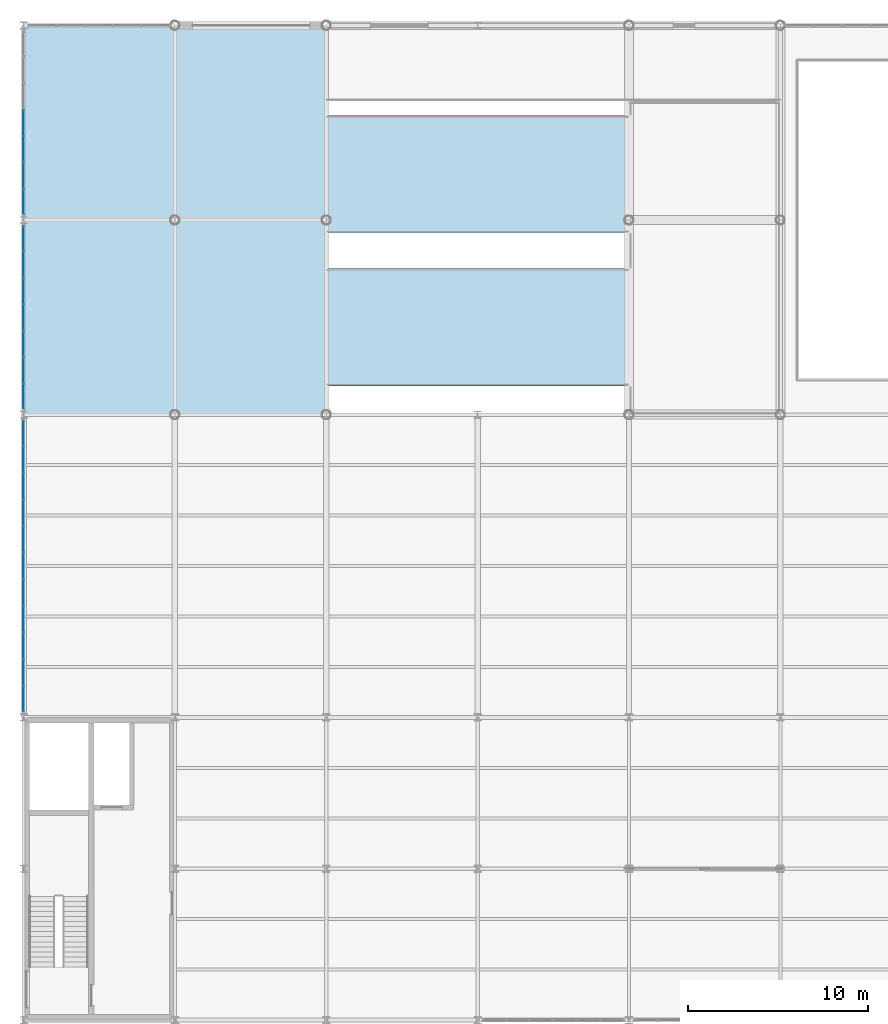
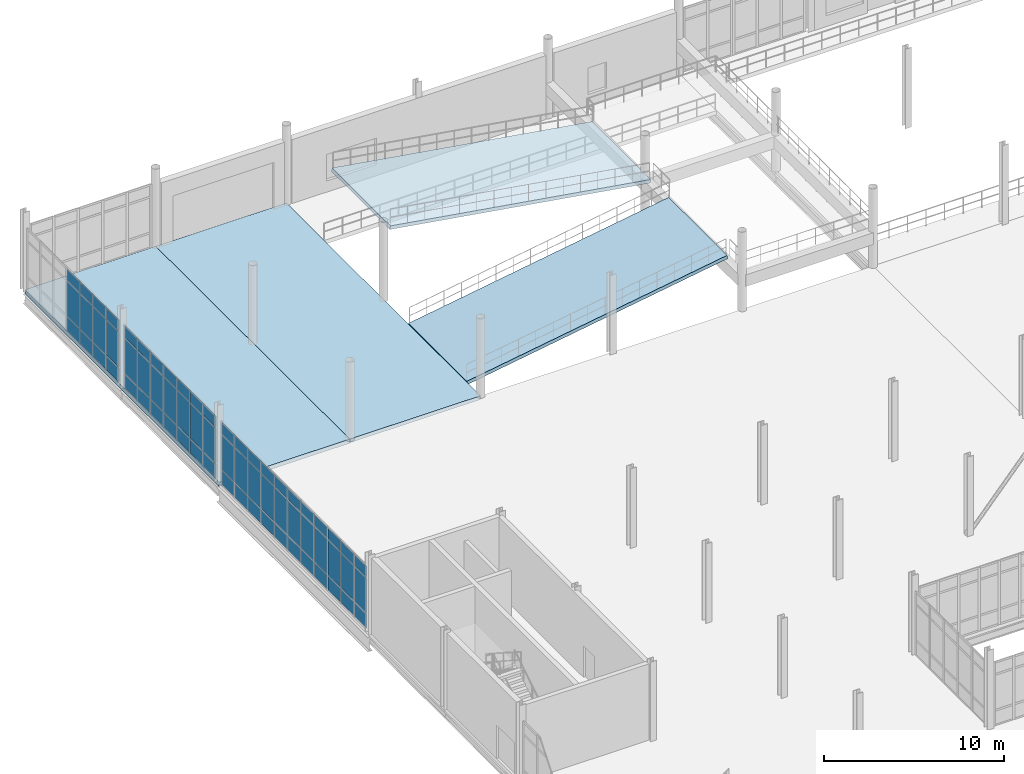
# One storey, part 84 of 111: 66 plates, 4 slabs, 3 elements without a shape of their own.
"""IFC4 building model written with IfcOpenShell, lengths in metres."""

import ifcopenshell
import ifcopenshell.guid

model = None  # the IFC model being written
_history = None  # IfcOwnerHistory: only IFC2X3 demands one
_inside = {}  # id of a spatial element -> (the spatial element, [elements in it])
_under = {}  # id of a project, library or spatial element -> (it, [spatial elements below it])
_declared = {}  # id of a project -> (the project, [libraries it declares])
_typed = {}  # id of a type object -> (the type object, [elements of that type])
_made_of = {}  # id of a material, layer set ... -> (it, [elements and type objects made of it])


def new_model(schema):
    """Start an empty IFC model of exactly this schema.

    Asked for "IFC4X3", IfcOpenShell would pick the latest addendum, in which some entities
    have other attributes; the version numbers below select the first issue.
    IFC2X3 requires an IfcOwnerHistory on every rooted entity: one is made here for all.
    """
    global model, _history
    if schema == "IFC4X3":
        model = ifcopenshell.file(schema_version=(4, 3, 0, 0))
    else:
        model = ifcopenshell.file(schema=schema)
    _inside.clear()
    _under.clear()
    _declared.clear()
    _typed.clear()
    _made_of.clear()
    _history = None
    if model.schema == "IFC2X3":
        org = make("IfcOrganization", Name="unknown")
        user = make(
            "IfcPersonAndOrganization",
            ThePerson=make("IfcPerson", FamilyName="unknown"),
            TheOrganization=org,
        )
        app = make(
            "IfcApplication",
            ApplicationDeveloper=org,
            Version="unknown",
            ApplicationFullName="unknown",
            ApplicationIdentifier="unknown",
        )
        _history = make(
            "IfcOwnerHistory",
            OwningUser=user,
            OwningApplication=app,
            ChangeAction="ADDED",
            CreationDate=0,
        )
    return model


def make(cls, **values):
    """One entity of the class cls with the attributes given. An attribute that is None is left unset."""
    return model.create_entity(
        cls, **{name: value for name, value in values.items() if value is not None}
    )


def rooted(cls, **values):
    """An entity with a GlobalId (a new one), such as an element, a storey or a relation."""
    return make(cls, GlobalId=ifcopenshell.guid.new(), OwnerHistory=_history, **values)


def si_unit(unit_type, name, prefix=None):
    """IfcSIUnit, for example si_unit("LENGTHUNIT", "METRE", prefix="MILLI")."""
    return make("IfcSIUnit", UnitType=unit_type, Prefix=prefix, Name=name)


def assignment(units):
    """IfcUnitAssignment: the units of a project."""
    return None if units is None else make("IfcUnitAssignment", Units=units)


def point(xyz):
    """IfcCartesianPoint."""
    return None if xyz is None else make("IfcCartesianPoint", Coordinates=xyz)


def direction(xyz):
    """IfcDirection."""
    return None if xyz is None else make("IfcDirection", DirectionRatios=xyz)


def frame(location, z_axis=None, x_axis=None):
    """IfcAxis2Placement3D, a coordinate frame: its origin and axes. An axis left out is left unset."""
    return make(
        "IfcAxis2Placement3D",
        Location=point(location),
        Axis=direction(z_axis),
        RefDirection=direction(x_axis),
    )


def frame_2d(location, x_axis=None):
    """IfcAxis2Placement2D, a coordinate frame in the plane: its origin and x axis."""
    return make(
        "IfcAxis2Placement2D", Location=point(location), RefDirection=direction(x_axis)
    )


def origin():
    """The frame at (0, 0, 0) with its axes left unset."""
    return frame((0.0, 0.0, 0.0))


def origin_2d():
    """The frame at (0, 0) in the plane with its x axis left unset."""
    return frame_2d((0.0, 0.0))


def place(relative_to, where):
    """IfcLocalPlacement: puts the frame where relative to a parent placement (None: the world)."""
    return make(
        "IfcLocalPlacement", PlacementRelTo=relative_to, RelativePlacement=where
    )


def context(
    kind, dimensions, precision=None, world=None, true_north=None, identifier=None
):
    """IfcGeometricRepresentationContext, for example the 3D "Model" context."""
    return make(
        "IfcGeometricRepresentationContext",
        ContextIdentifier=identifier,
        ContextType=kind,
        CoordinateSpaceDimension=dimensions,
        Precision=precision,
        WorldCoordinateSystem=world,
        TrueNorth=true_north,
    )


def subcontext(parent, identifier, kind, view, scale=None):
    """IfcGeometricRepresentationSubContext, for example "Body" below "Model"."""
    return make(
        "IfcGeometricRepresentationSubContext",
        ContextIdentifier=identifier,
        ContextType=kind,
        ParentContext=parent,
        TargetScale=scale,
        TargetView=view,
    )


def project(units=None, contexts=None):
    """IfcProject with its units and contexts."""
    return rooted(
        "IfcProject",
        Name="project",
        RepresentationContexts=contexts,
        UnitsInContext=assignment(units),
    )


def spatial(cls, under=None, at=None, **own):
    """A site, building, storey or space (cls), placed at a placement, below another one or the project."""
    s = rooted(cls, ObjectPlacement=at, **own)
    if under is not None:
        _under.setdefault(under.id(), (under, []))[1].append(s)
    return s


def polyline(points):
    """IfcPolyline through the points."""
    return make("IfcPolyline", Points=[point(p) for p in points])


def profile(cls, at=None, kind="AREA", **sizes):
    """A parametric profile (cls). Its sizes go by their IFC names, for example OverallWidth=200.0."""
    return make(cls, ProfileType=kind, Position=at, **sizes)


def rectangle(**sizes):
    """IfcRectangleProfileDef."""
    return profile("IfcRectangleProfileDef", **sizes)


def outline(outer, holes=None, kind="AREA"):
    """IfcArbitraryClosedProfileDef: a profile drawn as a closed curve; with holes, ...WithVoids."""
    if holes is None:
        return make("IfcArbitraryClosedProfileDef", ProfileType=kind, OuterCurve=outer)
    return make(
        "IfcArbitraryProfileDefWithVoids",
        ProfileType=kind,
        OuterCurve=outer,
        InnerCurves=holes,
    )


def extrude(swept, where, along, depth):
    """IfcExtrudedAreaSolid: the profile swept, set in the frame where, extruded along a direction by depth."""
    return make(
        "IfcExtrudedAreaSolid",
        SweptArea=swept,
        Position=where,
        ExtrudedDirection=direction(along),
        Depth=depth,
    )


def shape(context_of_items, identifier, shape_type, items):
    """IfcShapeRepresentation: the items that make up one representation, for example the "Body"."""
    return make(
        "IfcShapeRepresentation",
        ContextOfItems=context_of_items,
        RepresentationIdentifier=identifier,
        RepresentationType=shape_type,
        Items=items,
    )


def material(Name=None, Category=None):
    """IfcMaterial."""
    return make("IfcMaterial", Name=Name, Category=Category)


def layer(
    of_material, thickness, ventilated=None, Name=None, Category=None, Priority=None
):
    """IfcMaterialLayer: one layer of a wall or slab, of a material (None: an air gap)."""
    return make(
        "IfcMaterialLayer",
        Material=of_material,
        LayerThickness=thickness,
        IsVentilated=ventilated,
        Name=Name,
        Category=Category,
        Priority=Priority,
    )


def layer_set(layers, Name=None):
    """IfcMaterialLayerSet."""
    return make("IfcMaterialLayerSet", MaterialLayers=layers, LayerSetName=Name)


def made_of(thing, what):
    """Note that an element or type object is made of a material, layer set ...; save() writes the relation."""
    if what is not None:
        _made_of.setdefault(what.id(), (what, []))[1].append(thing)
    return thing


def type_object(cls, material=None, **own):
    """A type object (cls), such as IfcWallType, which elements share."""
    return made_of(rooted(cls, **own), material)


def element(
    cls,
    number,
    at=None,
    inside=None,
    cuts=None,
    type_object=None,
    material=None,
    context=None,
    identifier="Body",
    shape_type=None,
    held_by="IfcProductDefinitionShape",
    body=None,
    shapes=None,
    **own,
):
    """One element of the class cls, such as IfcWall. Its Tag is "e" and its number.

    at: its placement. inside: the storey or other place that contains it. cuts: it is an
    opening in that element (IfcRelVoidsElement). A single representation is given by context,
    identifier, shape_type and body (its items); several are given by shapes. held_by: the class
    of the entity that holds the representations. save() writes the other relations.
    """
    e = rooted(cls, Tag="e%d" % number, ObjectPlacement=at, **own)
    if body is not None:
        shapes = [shape(context, identifier, shape_type, body)]
    if shapes is not None:
        e.Representation = make(held_by, Representations=shapes)
    if inside is not None:
        _inside.setdefault(inside.id(), (inside, []))[1].append(e)
    if cuts is not None:
        rooted(
            "IfcRelVoidsElement", RelatingBuildingElement=cuts, RelatedOpeningElement=e
        )
    if type_object is not None:
        _typed.setdefault(type_object.id(), (type_object, []))[1].append(e)
    return made_of(e, material)


def aggregate(whole, parts):
    """IfcRelAggregates: a whole, such as a stair, and the parts it consists of."""
    return rooted("IfcRelAggregates", RelatingObject=whole, RelatedObjects=parts)


def save(model, path):
    """Write the relations noted so far, then the file.

    IfcRelAggregates (storeys below a building ...), IfcRelContainedInSpatialStructure (elements
    in a storey), IfcRelDefinesByType, IfcRelAssociatesMaterial and IfcRelDeclares: one each for
    every whole, place, type object, material and project.
    """
    for whole, parts in _under.values():
        aggregate(whole, parts)
    for where, things in _inside.values():
        rooted(
            "IfcRelContainedInSpatialStructure",
            RelatedElements=things,
            RelatingStructure=where,
        )
    for kind, things in _typed.values():
        rooted("IfcRelDefinesByType", RelatedObjects=things, RelatingType=kind)
    for what, things in _made_of.values():
        rooted("IfcRelAssociatesMaterial", RelatedObjects=things, RelatingMaterial=what)
    for by, libraries in _declared.values():
        rooted("IfcRelDeclares", RelatingContext=by, RelatedDefinitions=libraries)
    model.write(path)


model = new_model("IFC4")

# Units and contexts
model_context = context("Model", 3, precision=1e-05, world=origin(), true_north=direction((0.0, 1.0)))
body_context = subcontext(model_context, "Body", "Model", "MODEL_VIEW")
ifc_project = project(units=[si_unit("LENGTHUNIT", "METRE"), si_unit("AREAUNIT", "SQUARE_METRE"), si_unit("VOLUMEUNIT", "CUBIC_METRE"), si_unit("PLANEANGLEUNIT", "RADIAN"), si_unit("MASSUNIT", "GRAM", prefix="KILO"), si_unit("THERMODYNAMICTEMPERATUREUNIT", "KELVIN"), si_unit("POWERUNIT", "WATT")], contexts=[model_context])

# Site, building, storey
site_placement = place(None, origin())
site = spatial("IfcSite", under=ifc_project, at=site_placement, CompositionType="ELEMENT")
building_placement = place(site_placement, origin())
building = spatial("IfcBuilding", under=site, at=building_placement, Name="Tembeka Court Mobility Hub", CompositionType="ELEMENT")
storey_placement = place(building_placement, origin())
storey = spatial("IfcBuildingStorey", under=building, at=storey_placement, Name="L00", CompositionType="ELEMENT", Elevation=0.0)

# Curtain wall, plates
ifc_material_1 = material(Name="Anodised aluminium 6063-T6", Category="aluminium")
ifc_layer_1 = layer(ifc_material_1, 0.159912109375)
ifc_layer_set_1 = layer_set([ifc_layer_1], Name="Anodised aluminium 6063-T6")
curtain_wall_type_1 = type_object("IfcCurtainWallType", Name="CW-SYS19", PredefinedType="USERDEFINED", material=ifc_layer_set_1)
curtain_wall_1_placement = place(storey_placement, origin())
curtain_wall_1 = element("IfcCurtainWall", 1, at=curtain_wall_1_placement, inside=storey, type_object=curtain_wall_type_1, Name="Unitised curtain wall CW19 (CW-L00-029)", ObjectType="UNITISED GLAZING", PredefinedType="USERDEFINED")
ifc_material_2 = material(Name="Laminated solar-control low-E glass", Category="glass")
ifc_layer_2 = layer(ifc_material_2, 0.028076171875)
ifc_layer_set_2 = layer_set([ifc_layer_2], Name="Laminated solar-control low-E glass")
plate_type = type_object("IfcPlateType", Name="PL-CW01", PredefinedType="CURTAIN_PANEL", material=ifc_layer_set_2)
plate_1_placement = place(storey_placement, frame((0.0, 81.434326171875, 0.06494140625), z_axis=(0.0, 0.0, 1.0), x_axis=(0.0, 1.0, 0.0)))
plate_1 = element("IfcPlate", 2, at=plate_1_placement, type_object=plate_type, Name="CW19 panel 1.1", PredefinedType="CURTAIN_PANEL", context=body_context, shape_type="SweptSolid", body=[
    extrude(rectangle(XDim=1.37890625, YDim=0.028076171875, at=origin_2d()), origin(), (0.0, 0.0, 1.0), 0.952392578125),
])
plate_2_placement = place(storey_placement, frame((0.0, 81.434326171875, 1.08251953125), z_axis=(0.0, 0.0, 1.0), x_axis=(0.0, 1.0, 0.0)))
plate_2 = element("IfcPlate", 3, at=plate_2_placement, type_object=plate_type, Name="CW19 panel 1.2", PredefinedType="CURTAIN_PANEL", context=body_context, shape_type="SweptSolid", body=[
    extrude(rectangle(XDim=1.37890625, YDim=0.028076171875, at=origin_2d()), origin(), (0.0, 0.0, 1.0), 2.3701171875),
])
plate_3_placement = place(storey_placement, frame((0.0, 81.434326171875, 3.517578125), z_axis=(0.0, 0.0, 1.0), x_axis=(0.0, 1.0, 0.0)))
plate_3 = element("IfcPlate", 4, at=plate_3_placement, type_object=plate_type, Name="CW19 panel 1.3", PredefinedType="CURTAIN_PANEL", context=body_context, shape_type="SweptSolid", body=[
    extrude(rectangle(XDim=1.37890625, YDim=0.028076171875, at=origin_2d()), origin(), (0.0, 0.0, 1.0), 0.75244140625),
])
plate_4_placement = place(storey_placement, frame((0.0, 82.89453125, 0.06494140625), z_axis=(0.0, 0.0, 1.0), x_axis=(0.0, 1.0, 0.0)))
plate_4 = element("IfcPlate", 5, at=plate_4_placement, type_object=plate_type, Name="CW19 panel 2.1", PredefinedType="CURTAIN_PANEL", context=body_context, shape_type="SweptSolid", body=[
    extrude(rectangle(XDim=1.411376953125, YDim=0.028076171875, at=origin_2d()), origin(), (0.0, 0.0, 1.0), 0.952392578125),
])
plate_5_placement = place(storey_placement, frame((0.0, 82.89453125, 1.08251953125), z_axis=(0.0, 0.0, 1.0), x_axis=(0.0, 1.0, 0.0)))
plate_5 = element("IfcPlate", 6, at=plate_5_placement, type_object=plate_type, Name="CW19 panel 2.2", PredefinedType="CURTAIN_PANEL", context=body_context, shape_type="SweptSolid", body=[
    extrude(rectangle(XDim=1.411376953125, YDim=0.028076171875, at=origin_2d()), origin(), (0.0, 0.0, 1.0), 2.3701171875),
])
plate_6_placement = place(storey_placement, frame((0.0, 82.89453125, 3.517578125), z_axis=(0.0, 0.0, 1.0), x_axis=(0.0, 1.0, 0.0)))
plate_6 = element("IfcPlate", 7, at=plate_6_placement, type_object=plate_type, Name="CW19 panel 2.3", PredefinedType="CURTAIN_PANEL", context=body_context, shape_type="SweptSolid", body=[
    extrude(rectangle(XDim=1.411376953125, YDim=0.028076171875, at=origin_2d()), origin(), (0.0, 0.0, 1.0), 0.75244140625),
])
plate_7_placement = place(storey_placement, frame((0.0, 84.370849609375, 0.06494140625), z_axis=(0.0, 0.0, 1.0), x_axis=(0.0, 1.0, 0.0)))
plate_7 = element("IfcPlate", 8, at=plate_7_placement, type_object=plate_type, Name="CW19 panel 3.1", PredefinedType="CURTAIN_PANEL", context=body_context, shape_type="SweptSolid", body=[
    extrude(rectangle(XDim=1.411376953125, YDim=0.028076171875, at=origin_2d()), origin(), (0.0, 0.0, 1.0), 0.952392578125),
])
plate_8_placement = place(storey_placement, frame((0.0, 84.370849609375, 1.08251953125), z_axis=(0.0, 0.0, 1.0), x_axis=(0.0, 1.0, 0.0)))
plate_8 = element("IfcPlate", 9, at=plate_8_placement, type_object=plate_type, Name="CW19 panel 3.2", PredefinedType="CURTAIN_PANEL", context=body_context, shape_type="SweptSolid", body=[
    extrude(rectangle(XDim=1.411376953125, YDim=0.028076171875, at=origin_2d()), origin(), (0.0, 0.0, 1.0), 2.3701171875),
])
plate_9_placement = place(storey_placement, frame((0.0, 84.370849609375, 3.517578125), z_axis=(0.0, 0.0, 1.0), x_axis=(0.0, 1.0, 0.0)))
plate_9 = element("IfcPlate", 10, at=plate_9_placement, type_object=plate_type, Name="CW19 panel 3.3", PredefinedType="CURTAIN_PANEL", context=body_context, shape_type="SweptSolid", body=[
    extrude(rectangle(XDim=1.411376953125, YDim=0.028076171875, at=origin_2d()), origin(), (0.0, 0.0, 1.0), 0.75244140625),
])
plate_10_placement = place(storey_placement, frame((0.0, 85.84716796875, 0.06494140625), z_axis=(0.0, 0.0, 1.0), x_axis=(0.0, 1.0, 0.0)))
plate_10 = element("IfcPlate", 11, at=plate_10_placement, type_object=plate_type, Name="CW19 panel 4.1", PredefinedType="CURTAIN_PANEL", context=body_context, shape_type="SweptSolid", body=[
    extrude(rectangle(XDim=1.411376953125, YDim=0.028076171875, at=origin_2d()), origin(), (0.0, 0.0, 1.0), 0.952392578125),
])
plate_11_placement = place(storey_placement, frame((0.0, 85.84716796875, 1.08251953125), z_axis=(0.0, 0.0, 1.0), x_axis=(0.0, 1.0, 0.0)))
plate_11 = element("IfcPlate", 12, at=plate_11_placement, type_object=plate_type, Name="CW19 panel 4.2", PredefinedType="CURTAIN_PANEL", context=body_context, shape_type="SweptSolid", body=[
    extrude(rectangle(XDim=1.411376953125, YDim=0.028076171875, at=origin_2d()), origin(), (0.0, 0.0, 1.0), 2.3701171875),
])
plate_12_placement = place(storey_placement, frame((0.0, 85.84716796875, 3.517578125), z_axis=(0.0, 0.0, 1.0), x_axis=(0.0, 1.0, 0.0)))
plate_12 = element("IfcPlate", 13, at=plate_12_placement, type_object=plate_type, Name="CW19 panel 4.3", PredefinedType="CURTAIN_PANEL", context=body_context, shape_type="SweptSolid", body=[
    extrude(rectangle(XDim=1.411376953125, YDim=0.028076171875, at=origin_2d()), origin(), (0.0, 0.0, 1.0), 0.75244140625),
])
plate_13_placement = place(storey_placement, frame((0.0, 87.32373046875, 0.06494140625), z_axis=(0.0, 0.0, 1.0), x_axis=(0.0, 1.0, 0.0)))
plate_13 = element("IfcPlate", 14, at=plate_13_placement, type_object=plate_type, Name="CW19 panel 5.1", PredefinedType="CURTAIN_PANEL", context=body_context, shape_type="SweptSolid", body=[
    extrude(rectangle(XDim=1.411376953125, YDim=0.028076171875, at=origin_2d()), origin(), (0.0, 0.0, 1.0), 0.952392578125),
])
plate_14_placement = place(storey_placement, frame((0.0, 87.32373046875, 1.08251953125), z_axis=(0.0, 0.0, 1.0), x_axis=(0.0, 1.0, 0.0)))
plate_14 = element("IfcPlate", 15, at=plate_14_placement, type_object=plate_type, Name="CW19 panel 5.2", PredefinedType="CURTAIN_PANEL", context=body_context, shape_type="SweptSolid", body=[
    extrude(rectangle(XDim=1.411376953125, YDim=0.028076171875, at=origin_2d()), origin(), (0.0, 0.0, 1.0), 2.3701171875),
])
plate_15_placement = place(storey_placement, frame((0.0, 87.32373046875, 3.517578125), z_axis=(0.0, 0.0, 1.0), x_axis=(0.0, 1.0, 0.0)))
plate_15 = element("IfcPlate", 16, at=plate_15_placement, type_object=plate_type, Name="CW19 panel 5.3", PredefinedType="CURTAIN_PANEL", context=body_context, shape_type="SweptSolid", body=[
    extrude(rectangle(XDim=1.411376953125, YDim=0.028076171875, at=origin_2d()), origin(), (0.0, 0.0, 1.0), 0.75244140625),
])
plate_16_placement = place(storey_placement, frame((0.0, 88.800048828125, 0.06494140625), z_axis=(0.0, 0.0, 1.0), x_axis=(0.0, 1.0, 0.0)))
plate_16 = element("IfcPlate", 17, at=plate_16_placement, type_object=plate_type, Name="CW19 panel 6.1", PredefinedType="CURTAIN_PANEL", context=body_context, shape_type="SweptSolid", body=[
    extrude(rectangle(XDim=1.411376953125, YDim=0.028076171875, at=origin_2d()), origin(), (0.0, 0.0, 1.0), 0.952392578125),
])
plate_17_placement = place(storey_placement, frame((0.0, 88.800048828125, 1.08251953125), z_axis=(0.0, 0.0, 1.0), x_axis=(0.0, 1.0, 0.0)))
plate_17 = element("IfcPlate", 18, at=plate_17_placement, type_object=plate_type, Name="CW19 panel 6.2", PredefinedType="CURTAIN_PANEL", context=body_context, shape_type="SweptSolid", body=[
    extrude(rectangle(XDim=1.411376953125, YDim=0.028076171875, at=origin_2d()), origin(), (0.0, 0.0, 1.0), 2.3701171875),
])
plate_18_placement = place(storey_placement, frame((0.0, 88.800048828125, 3.517578125), z_axis=(0.0, 0.0, 1.0), x_axis=(0.0, 1.0, 0.0)))
plate_18 = element("IfcPlate", 19, at=plate_18_placement, type_object=plate_type, Name="CW19 panel 6.3", PredefinedType="CURTAIN_PANEL", context=body_context, shape_type="SweptSolid", body=[
    extrude(rectangle(XDim=1.411376953125, YDim=0.028076171875, at=origin_2d()), origin(), (0.0, 0.0, 1.0), 0.75244140625),
])
plate_19_placement = place(storey_placement, frame((0.0, 90.2763671875, 0.06494140625), z_axis=(0.0, 0.0, 1.0), x_axis=(0.0, 1.0, 0.0)))
plate_19 = element("IfcPlate", 20, at=plate_19_placement, type_object=plate_type, Name="CW19 panel 7.1", PredefinedType="CURTAIN_PANEL", context=body_context, shape_type="SweptSolid", body=[
    extrude(rectangle(XDim=1.411376953125, YDim=0.028076171875, at=origin_2d()), origin(), (0.0, 0.0, 1.0), 0.952392578125),
])
plate_20_placement = place(storey_placement, frame((0.0, 90.2763671875, 1.08251953125), z_axis=(0.0, 0.0, 1.0), x_axis=(0.0, 1.0, 0.0)))
plate_20 = element("IfcPlate", 21, at=plate_20_placement, type_object=plate_type, Name="CW19 panel 7.2", PredefinedType="CURTAIN_PANEL", context=body_context, shape_type="SweptSolid", body=[
    extrude(rectangle(XDim=1.411376953125, YDim=0.028076171875, at=origin_2d()), origin(), (0.0, 0.0, 1.0), 2.3701171875),
])
plate_21_placement = place(storey_placement, frame((0.0, 90.2763671875, 3.517578125), z_axis=(0.0, 0.0, 1.0), x_axis=(0.0, 1.0, 0.0)))
plate_21 = element("IfcPlate", 22, at=plate_21_placement, type_object=plate_type, Name="CW19 panel 7.3", PredefinedType="CURTAIN_PANEL", context=body_context, shape_type="SweptSolid", body=[
    extrude(rectangle(XDim=1.411376953125, YDim=0.028076171875, at=origin_2d()), origin(), (0.0, 0.0, 1.0), 0.75244140625),
])
plate_22_placement = place(storey_placement, frame((0.0, 91.752685546875, 0.06494140625), z_axis=(0.0, 0.0, 1.0), x_axis=(0.0, 1.0, 0.0)))
plate_22 = element("IfcPlate", 23, at=plate_22_placement, type_object=plate_type, Name="CW19 panel 8.1", PredefinedType="CURTAIN_PANEL", context=body_context, shape_type="SweptSolid", body=[
    extrude(rectangle(XDim=1.411376953125, YDim=0.028076171875, at=origin_2d()), origin(), (0.0, 0.0, 1.0), 0.952392578125),
])
plate_23_placement = place(storey_placement, frame((0.0, 91.752685546875, 1.08251953125), z_axis=(0.0, 0.0, 1.0), x_axis=(0.0, 1.0, 0.0)))
plate_23 = element("IfcPlate", 24, at=plate_23_placement, type_object=plate_type, Name="CW19 panel 8.2", PredefinedType="CURTAIN_PANEL", context=body_context, shape_type="SweptSolid", body=[
    extrude(rectangle(XDim=1.411376953125, YDim=0.028076171875, at=origin_2d()), origin(), (0.0, 0.0, 1.0), 2.3701171875),
])
plate_24_placement = place(storey_placement, frame((0.0, 91.752685546875, 3.517578125), z_axis=(0.0, 0.0, 1.0), x_axis=(0.0, 1.0, 0.0)))
plate_24 = element("IfcPlate", 25, at=plate_24_placement, type_object=plate_type, Name="CW19 panel 8.3", PredefinedType="CURTAIN_PANEL", context=body_context, shape_type="SweptSolid", body=[
    extrude(rectangle(XDim=1.411376953125, YDim=0.028076171875, at=origin_2d()), origin(), (0.0, 0.0, 1.0), 0.75244140625),
])
plate_25_placement = place(storey_placement, frame((0.0, 93.22900390625, 0.06494140625), z_axis=(0.0, 0.0, 1.0), x_axis=(0.0, 1.0, 0.0)))
plate_25 = element("IfcPlate", 26, at=plate_25_placement, type_object=plate_type, Name="CW19 panel 9.1", PredefinedType="CURTAIN_PANEL", context=body_context, shape_type="SweptSolid", body=[
    extrude(rectangle(XDim=1.411376953125, YDim=0.028076171875, at=origin_2d()), origin(), (0.0, 0.0, 1.0), 0.952392578125),
])
plate_26_placement = place(storey_placement, frame((0.0, 93.22900390625, 1.08251953125), z_axis=(0.0, 0.0, 1.0), x_axis=(0.0, 1.0, 0.0)))
plate_26 = element("IfcPlate", 27, at=plate_26_placement, type_object=plate_type, Name="CW19 panel 9.2", PredefinedType="CURTAIN_PANEL", context=body_context, shape_type="SweptSolid", body=[
    extrude(rectangle(XDim=1.411376953125, YDim=0.028076171875, at=origin_2d()), origin(), (0.0, 0.0, 1.0), 2.3701171875),
])
plate_27_placement = place(storey_placement, frame((0.0, 93.22900390625, 3.517578125), z_axis=(0.0, 0.0, 1.0), x_axis=(0.0, 1.0, 0.0)))
plate_27 = element("IfcPlate", 28, at=plate_27_placement, type_object=plate_type, Name="CW19 panel 9.3", PredefinedType="CURTAIN_PANEL", context=body_context, shape_type="SweptSolid", body=[
    extrude(rectangle(XDim=1.411376953125, YDim=0.028076171875, at=origin_2d()), origin(), (0.0, 0.0, 1.0), 0.75244140625),
])
plate_28_placement = place(storey_placement, frame((0.0, 94.70556640625, 0.06494140625), z_axis=(0.0, 0.0, 1.0), x_axis=(0.0, 1.0, 0.0)))
plate_28 = element("IfcPlate", 29, at=plate_28_placement, type_object=plate_type, Name="CW19 panel 10.1", PredefinedType="CURTAIN_PANEL", context=body_context, shape_type="SweptSolid", body=[
    extrude(rectangle(XDim=1.411376953125, YDim=0.028076171875, at=origin_2d()), origin(), (0.0, 0.0, 1.0), 0.952392578125),
])
plate_29_placement = place(storey_placement, frame((0.0, 94.70556640625, 1.08251953125), z_axis=(0.0, 0.0, 1.0), x_axis=(0.0, 1.0, 0.0)))
plate_29 = element("IfcPlate", 30, at=plate_29_placement, type_object=plate_type, Name="CW19 panel 10.2", PredefinedType="CURTAIN_PANEL", context=body_context, shape_type="SweptSolid", body=[
    extrude(rectangle(XDim=1.411376953125, YDim=0.028076171875, at=origin_2d()), origin(), (0.0, 0.0, 1.0), 2.3701171875),
])
plate_30_placement = place(storey_placement, frame((0.0, 94.70556640625, 3.517578125), z_axis=(0.0, 0.0, 1.0), x_axis=(0.0, 1.0, 0.0)))
plate_30 = element("IfcPlate", 31, at=plate_30_placement, type_object=plate_type, Name="CW19 panel 10.3", PredefinedType="CURTAIN_PANEL", context=body_context, shape_type="SweptSolid", body=[
    extrude(rectangle(XDim=1.411376953125, YDim=0.028076171875, at=origin_2d()), origin(), (0.0, 0.0, 1.0), 0.75244140625),
])
plate_31_placement = place(storey_placement, frame((0.0, 96.16552734375, 0.06494140625), z_axis=(0.0, 0.0, 1.0), x_axis=(0.0, 1.0, 0.0)))
plate_31 = element("IfcPlate", 32, at=plate_31_placement, type_object=plate_type, Name="CW19 panel 11.1", PredefinedType="CURTAIN_PANEL", context=body_context, shape_type="SweptSolid", body=[
    extrude(rectangle(XDim=1.37890625, YDim=0.028076171875, at=origin_2d()), origin(), (0.0, 0.0, 1.0), 0.952392578125),
])
plate_32_placement = place(storey_placement, frame((0.0, 96.16552734375, 1.08251953125), z_axis=(0.0, 0.0, 1.0), x_axis=(0.0, 1.0, 0.0)))
plate_32 = element("IfcPlate", 33, at=plate_32_placement, type_object=plate_type, Name="CW19 panel 11.2", PredefinedType="CURTAIN_PANEL", context=body_context, shape_type="SweptSolid", body=[
    extrude(rectangle(XDim=1.37890625, YDim=0.028076171875, at=origin_2d()), origin(), (0.0, 0.0, 1.0), 2.3701171875),
])
plate_33_placement = place(storey_placement, frame((0.0, 96.16552734375, 3.517578125), z_axis=(0.0, 0.0, 1.0), x_axis=(0.0, 1.0, 0.0)))
plate_33 = element("IfcPlate", 34, at=plate_33_placement, type_object=plate_type, Name="CW19 panel 11.3", PredefinedType="CURTAIN_PANEL", context=body_context, shape_type="SweptSolid", body=[
    extrude(rectangle(XDim=1.37890625, YDim=0.028076171875, at=origin_2d()), origin(), (0.0, 0.0, 1.0), 0.75244140625),
])
aggregate(curtain_wall_1, [plate_1, plate_2, plate_3, plate_4, plate_5, plate_6, plate_7, plate_8, plate_9, plate_10, plate_11, plate_12, plate_13, plate_14, plate_15, plate_16, plate_17, plate_18, plate_19, plate_20, plate_21, plate_22, plate_23, plate_24, plate_25, plate_26, plate_27, plate_28, plate_29, plate_30, plate_31, plate_32, plate_33])

ifc_layer_3 = layer(ifc_material_1, 0.159912109375)
ifc_layer_set_3 = layer_set([ifc_layer_3], Name="Anodised aluminium 6063-T6")
curtain_wall_type_2 = type_object("IfcCurtainWallType", Name="CW-SYS18", PredefinedType="USERDEFINED", material=ifc_layer_set_3)
curtain_wall_2_placement = place(storey_placement, origin())
curtain_wall_2 = element("IfcCurtainWall", 35, at=curtain_wall_2_placement, inside=storey, type_object=curtain_wall_type_2, Name="Unitised curtain wall CW18 (CW-L00-031)", ObjectType="UNITISED GLAZING", PredefinedType="USERDEFINED")
plate_34_placement = place(storey_placement, frame((0.0, 98.227783203125, 0.06494140625), z_axis=(0.0, 0.0, 1.0), x_axis=(0.0, 1.0, 0.0)))
plate_34 = element("IfcPlate", 36, at=plate_34_placement, type_object=plate_type, Name="CW18 panel 1.1", PredefinedType="CURTAIN_PANEL", context=body_context, shape_type="SweptSolid", body=[
    extrude(rectangle(XDim=1.365478515625, YDim=0.028076171875, at=origin_2d()), origin(), (0.0, 0.0, 1.0), 0.952392578125),
])
plate_35_placement = place(storey_placement, frame((0.0, 98.227783203125, 1.08251953125), z_axis=(0.0, 0.0, 1.0), x_axis=(0.0, 1.0, 0.0)))
plate_35 = element("IfcPlate", 37, at=plate_35_placement, type_object=plate_type, Name="CW18 panel 1.2", PredefinedType="CURTAIN_PANEL", context=body_context, shape_type="SweptSolid", body=[
    extrude(rectangle(XDim=1.365478515625, YDim=0.028076171875, at=origin_2d()), origin(), (0.0, 0.0, 1.0), 2.3701171875),
])
plate_36_placement = place(storey_placement, frame((0.0, 98.227783203125, 3.517578125), z_axis=(0.0, 0.0, 1.0), x_axis=(0.0, 1.0, 0.0)))
plate_36 = element("IfcPlate", 38, at=plate_36_placement, type_object=plate_type, Name="CW18 panel 1.3", PredefinedType="CURTAIN_PANEL", context=body_context, shape_type="SweptSolid", body=[
    extrude(rectangle(XDim=1.365478515625, YDim=0.028076171875, at=origin_2d()), origin(), (0.0, 0.0, 1.0), 0.75244140625),
])
plate_37_placement = place(storey_placement, frame((0.0, 99.67431640625, 0.06494140625), z_axis=(0.0, 0.0, 1.0), x_axis=(0.0, 1.0, 0.0)))
plate_37 = element("IfcPlate", 39, at=plate_37_placement, type_object=plate_type, Name="CW18 panel 2.1", PredefinedType="CURTAIN_PANEL", context=body_context, shape_type="SweptSolid", body=[
    extrude(rectangle(XDim=1.39794921875, YDim=0.028076171875, at=origin_2d()), origin(), (0.0, 0.0, 1.0), 0.952392578125),
])
plate_38_placement = place(storey_placement, frame((0.0, 99.67431640625, 1.08251953125), z_axis=(0.0, 0.0, 1.0), x_axis=(0.0, 1.0, 0.0)))
plate_38 = element("IfcPlate", 40, at=plate_38_placement, type_object=plate_type, Name="CW18 panel 2.2", PredefinedType="CURTAIN_PANEL", context=body_context, shape_type="SweptSolid", body=[
    extrude(rectangle(XDim=1.39794921875, YDim=0.028076171875, at=origin_2d()), origin(), (0.0, 0.0, 1.0), 2.3701171875),
])
plate_39_placement = place(storey_placement, frame((0.0, 99.67431640625, 3.517578125), z_axis=(0.0, 0.0, 1.0), x_axis=(0.0, 1.0, 0.0)))
plate_39 = element("IfcPlate", 41, at=plate_39_placement, type_object=plate_type, Name="CW18 panel 2.3", PredefinedType="CURTAIN_PANEL", context=body_context, shape_type="SweptSolid", body=[
    extrude(rectangle(XDim=1.39794921875, YDim=0.028076171875, at=origin_2d()), origin(), (0.0, 0.0, 1.0), 0.75244140625),
])
plate_40_placement = place(storey_placement, frame((0.0, 101.13720703125, 0.06494140625), z_axis=(0.0, 0.0, 1.0), x_axis=(0.0, 1.0, 0.0)))
plate_40 = element("IfcPlate", 42, at=plate_40_placement, type_object=plate_type, Name="CW18 panel 3.1", PredefinedType="CURTAIN_PANEL", context=body_context, shape_type="SweptSolid", body=[
    extrude(rectangle(XDim=1.39794921875, YDim=0.028076171875, at=origin_2d()), origin(), (0.0, 0.0, 1.0), 0.952392578125),
])
plate_41_placement = place(storey_placement, frame((0.0, 101.13720703125, 1.08251953125), z_axis=(0.0, 0.0, 1.0), x_axis=(0.0, 1.0, 0.0)))
plate_41 = element("IfcPlate", 43, at=plate_41_placement, type_object=plate_type, Name="CW18 panel 3.2", PredefinedType="CURTAIN_PANEL", context=body_context, shape_type="SweptSolid", body=[
    extrude(rectangle(XDim=1.39794921875, YDim=0.028076171875, at=origin_2d()), origin(), (0.0, 0.0, 1.0), 2.3701171875),
])
plate_42_placement = place(storey_placement, frame((0.0, 101.13720703125, 3.517578125), z_axis=(0.0, 0.0, 1.0), x_axis=(0.0, 1.0, 0.0)))
plate_42 = element("IfcPlate", 44, at=plate_42_placement, type_object=plate_type, Name="CW18 panel 3.3", PredefinedType="CURTAIN_PANEL", context=body_context, shape_type="SweptSolid", body=[
    extrude(rectangle(XDim=1.39794921875, YDim=0.028076171875, at=origin_2d()), origin(), (0.0, 0.0, 1.0), 0.75244140625),
])
plate_43_placement = place(storey_placement, frame((0.0, 102.60009765625, 0.06494140625), z_axis=(0.0, 0.0, 1.0), x_axis=(0.0, 1.0, 0.0)))
plate_43 = element("IfcPlate", 45, at=plate_43_placement, type_object=plate_type, Name="CW18 panel 4.1", PredefinedType="CURTAIN_PANEL", context=body_context, shape_type="SweptSolid", body=[
    extrude(rectangle(XDim=1.39794921875, YDim=0.028076171875, at=origin_2d()), origin(), (0.0, 0.0, 1.0), 0.952392578125),
])
plate_44_placement = place(storey_placement, frame((0.0, 102.60009765625, 1.08251953125), z_axis=(0.0, 0.0, 1.0), x_axis=(0.0, 1.0, 0.0)))
plate_44 = element("IfcPlate", 46, at=plate_44_placement, type_object=plate_type, Name="CW18 panel 4.2", PredefinedType="CURTAIN_PANEL", context=body_context, shape_type="SweptSolid", body=[
    extrude(rectangle(XDim=1.39794921875, YDim=0.028076171875, at=origin_2d()), origin(), (0.0, 0.0, 1.0), 2.3701171875),
])
plate_45_placement = place(storey_placement, frame((0.0, 102.60009765625, 3.517578125), z_axis=(0.0, 0.0, 1.0), x_axis=(0.0, 1.0, 0.0)))
plate_45 = element("IfcPlate", 47, at=plate_45_placement, type_object=plate_type, Name="CW18 panel 4.3", PredefinedType="CURTAIN_PANEL", context=body_context, shape_type="SweptSolid", body=[
    extrude(rectangle(XDim=1.39794921875, YDim=0.028076171875, at=origin_2d()), origin(), (0.0, 0.0, 1.0), 0.75244140625),
])
plate_46_placement = place(storey_placement, frame((0.0, 104.062744140625, 0.06494140625), z_axis=(0.0, 0.0, 1.0), x_axis=(0.0, 1.0, 0.0)))
plate_46 = element("IfcPlate", 48, at=plate_46_placement, type_object=plate_type, Name="CW18 panel 5.1", PredefinedType="CURTAIN_PANEL", context=body_context, shape_type="SweptSolid", body=[
    extrude(rectangle(XDim=1.39794921875, YDim=0.028076171875, at=origin_2d()), origin(), (0.0, 0.0, 1.0), 0.952392578125),
])
plate_47_placement = place(storey_placement, frame((0.0, 104.062744140625, 1.08251953125), z_axis=(0.0, 0.0, 1.0), x_axis=(0.0, 1.0, 0.0)))
plate_47 = element("IfcPlate", 49, at=plate_47_placement, type_object=plate_type, Name="CW18 panel 5.2", PredefinedType="CURTAIN_PANEL", context=body_context, shape_type="SweptSolid", body=[
    extrude(rectangle(XDim=1.39794921875, YDim=0.028076171875, at=origin_2d()), origin(), (0.0, 0.0, 1.0), 2.3701171875),
])
plate_48_placement = place(storey_placement, frame((0.0, 104.062744140625, 3.517578125), z_axis=(0.0, 0.0, 1.0), x_axis=(0.0, 1.0, 0.0)))
plate_48 = element("IfcPlate", 50, at=plate_48_placement, type_object=plate_type, Name="CW18 panel 5.3", PredefinedType="CURTAIN_PANEL", context=body_context, shape_type="SweptSolid", body=[
    extrude(rectangle(XDim=1.39794921875, YDim=0.028076171875, at=origin_2d()), origin(), (0.0, 0.0, 1.0), 0.75244140625),
])
plate_49_placement = place(storey_placement, frame((0.0, 105.525634765625, 0.06494140625), z_axis=(0.0, 0.0, 1.0), x_axis=(0.0, 1.0, 0.0)))
plate_49 = element("IfcPlate", 51, at=plate_49_placement, type_object=plate_type, Name="CW18 panel 6.1", PredefinedType="CURTAIN_PANEL", context=body_context, shape_type="SweptSolid", body=[
    extrude(rectangle(XDim=1.39794921875, YDim=0.028076171875, at=origin_2d()), origin(), (0.0, 0.0, 1.0), 0.952392578125),
])
plate_50_placement = place(storey_placement, frame((0.0, 105.525634765625, 1.08251953125), z_axis=(0.0, 0.0, 1.0), x_axis=(0.0, 1.0, 0.0)))
plate_50 = element("IfcPlate", 52, at=plate_50_placement, type_object=plate_type, Name="CW18 panel 6.2", PredefinedType="CURTAIN_PANEL", context=body_context, shape_type="SweptSolid", body=[
    extrude(rectangle(XDim=1.39794921875, YDim=0.028076171875, at=origin_2d()), origin(), (0.0, 0.0, 1.0), 2.3701171875),
])
plate_51_placement = place(storey_placement, frame((0.0, 105.525634765625, 3.517578125), z_axis=(0.0, 0.0, 1.0), x_axis=(0.0, 1.0, 0.0)))
plate_51 = element("IfcPlate", 53, at=plate_51_placement, type_object=plate_type, Name="CW18 panel 6.3", PredefinedType="CURTAIN_PANEL", context=body_context, shape_type="SweptSolid", body=[
    extrude(rectangle(XDim=1.39794921875, YDim=0.028076171875, at=origin_2d()), origin(), (0.0, 0.0, 1.0), 0.75244140625),
])
plate_52_placement = place(storey_placement, frame((0.0, 106.972412109375, 0.06494140625), z_axis=(0.0, 0.0, 1.0), x_axis=(0.0, 1.0, 0.0)))
plate_52 = element("IfcPlate", 54, at=plate_52_placement, type_object=plate_type, Name="CW18 panel 7.1", PredefinedType="CURTAIN_PANEL", context=body_context, shape_type="SweptSolid", body=[
    extrude(rectangle(XDim=1.365478515625, YDim=0.028076171875, at=origin_2d()), origin(), (0.0, 0.0, 1.0), 0.952392578125),
])
plate_53_placement = place(storey_placement, frame((0.0, 106.972412109375, 1.08251953125), z_axis=(0.0, 0.0, 1.0), x_axis=(0.0, 1.0, 0.0)))
plate_53 = element("IfcPlate", 55, at=plate_53_placement, type_object=plate_type, Name="CW18 panel 7.2", PredefinedType="CURTAIN_PANEL", context=body_context, shape_type="SweptSolid", body=[
    extrude(rectangle(XDim=1.365478515625, YDim=0.028076171875, at=origin_2d()), origin(), (0.0, 0.0, 1.0), 2.3701171875),
])
plate_54_placement = place(storey_placement, frame((0.0, 106.972412109375, 3.517578125), z_axis=(0.0, 0.0, 1.0), x_axis=(0.0, 1.0, 0.0)))
plate_54 = element("IfcPlate", 56, at=plate_54_placement, type_object=plate_type, Name="CW18 panel 7.3", PredefinedType="CURTAIN_PANEL", context=body_context, shape_type="SweptSolid", body=[
    extrude(rectangle(XDim=1.365478515625, YDim=0.028076171875, at=origin_2d()), origin(), (0.0, 0.0, 1.0), 0.75244140625),
])
aggregate(curtain_wall_2, [plate_34, plate_35, plate_36, plate_37, plate_38, plate_39, plate_40, plate_41, plate_42, plate_43, plate_44, plate_45, plate_46, plate_47, plate_48, plate_49, plate_50, plate_51, plate_52, plate_53, plate_54])

curtain_wall_3_placement = place(storey_placement, origin())
curtain_wall_3 = element("IfcCurtainWall", 57, at=curtain_wall_3_placement, inside=storey, type_object=curtain_wall_type_2, Name="Unitised curtain wall CW18 (CW-L00-033)", ObjectType="UNITISED GLAZING", PredefinedType="USERDEFINED")
plate_55_placement = place(storey_placement, frame((0.0, 109.027587890625, 0.06494140625), z_axis=(0.0, 0.0, 1.0), x_axis=(0.0, 1.0, 0.0)))
plate_55 = element("IfcPlate", 58, at=plate_55_placement, type_object=plate_type, Name="CW18 panel 1.1", PredefinedType="CURTAIN_PANEL", context=body_context, shape_type="SweptSolid", body=[
    extrude(rectangle(XDim=1.365478515625, YDim=0.028076171875, at=origin_2d()), origin(), (0.0, 0.0, 1.0), 0.952392578125),
])
plate_56_placement = place(storey_placement, frame((0.0, 109.027587890625, 1.08251953125), z_axis=(0.0, 0.0, 1.0), x_axis=(0.0, 1.0, 0.0)))
plate_56 = element("IfcPlate", 59, at=plate_56_placement, type_object=plate_type, Name="CW18 panel 1.2", PredefinedType="CURTAIN_PANEL", context=body_context, shape_type="SweptSolid", body=[
    extrude(rectangle(XDim=1.365478515625, YDim=0.028076171875, at=origin_2d()), origin(), (0.0, 0.0, 1.0), 2.3701171875),
])
plate_57_placement = place(storey_placement, frame((0.0, 109.027587890625, 3.517578125), z_axis=(0.0, 0.0, 1.0), x_axis=(0.0, 1.0, 0.0)))
plate_57 = element("IfcPlate", 60, at=plate_57_placement, type_object=plate_type, Name="CW18 panel 1.3", PredefinedType="CURTAIN_PANEL", context=body_context, shape_type="SweptSolid", body=[
    extrude(rectangle(XDim=1.365478515625, YDim=0.028076171875, at=origin_2d()), origin(), (0.0, 0.0, 1.0), 0.75244140625),
])
plate_58_placement = place(storey_placement, frame((0.0, 110.474365234375, 0.06494140625), z_axis=(0.0, 0.0, 1.0), x_axis=(0.0, 1.0, 0.0)))
plate_58 = element("IfcPlate", 61, at=plate_58_placement, type_object=plate_type, Name="CW18 panel 2.1", PredefinedType="CURTAIN_PANEL", context=body_context, shape_type="SweptSolid", body=[
    extrude(rectangle(XDim=1.39794921875, YDim=0.028076171875, at=origin_2d()), origin(), (0.0, 0.0, 1.0), 0.952392578125),
])
plate_59_placement = place(storey_placement, frame((0.0, 110.474365234375, 1.08251953125), z_axis=(0.0, 0.0, 1.0), x_axis=(0.0, 1.0, 0.0)))
plate_59 = element("IfcPlate", 62, at=plate_59_placement, type_object=plate_type, Name="CW18 panel 2.2", PredefinedType="CURTAIN_PANEL", context=body_context, shape_type="SweptSolid", body=[
    extrude(rectangle(XDim=1.39794921875, YDim=0.028076171875, at=origin_2d()), origin(), (0.0, 0.0, 1.0), 2.3701171875),
])
plate_60_placement = place(storey_placement, frame((0.0, 110.474365234375, 3.517578125), z_axis=(0.0, 0.0, 1.0), x_axis=(0.0, 1.0, 0.0)))
plate_60 = element("IfcPlate", 63, at=plate_60_placement, type_object=plate_type, Name="CW18 panel 2.3", PredefinedType="CURTAIN_PANEL", context=body_context, shape_type="SweptSolid", body=[
    extrude(rectangle(XDim=1.39794921875, YDim=0.028076171875, at=origin_2d()), origin(), (0.0, 0.0, 1.0), 0.75244140625),
])
plate_61_placement = place(storey_placement, frame((0.0, 111.937255859375, 0.06494140625), z_axis=(0.0, 0.0, 1.0), x_axis=(0.0, 1.0, 0.0)))
plate_61 = element("IfcPlate", 64, at=plate_61_placement, type_object=plate_type, Name="CW18 panel 3.1", PredefinedType="CURTAIN_PANEL", context=body_context, shape_type="SweptSolid", body=[
    extrude(rectangle(XDim=1.39794921875, YDim=0.028076171875, at=origin_2d()), origin(), (0.0, 0.0, 1.0), 0.952392578125),
])
plate_62_placement = place(storey_placement, frame((0.0, 111.937255859375, 1.08251953125), z_axis=(0.0, 0.0, 1.0), x_axis=(0.0, 1.0, 0.0)))
plate_62 = element("IfcPlate", 65, at=plate_62_placement, type_object=plate_type, Name="CW18 panel 3.2", PredefinedType="CURTAIN_PANEL", context=body_context, shape_type="SweptSolid", body=[
    extrude(rectangle(XDim=1.39794921875, YDim=0.028076171875, at=origin_2d()), origin(), (0.0, 0.0, 1.0), 2.3701171875),
])
plate_63_placement = place(storey_placement, frame((0.0, 111.937255859375, 3.517578125), z_axis=(0.0, 0.0, 1.0), x_axis=(0.0, 1.0, 0.0)))
plate_63 = element("IfcPlate", 66, at=plate_63_placement, type_object=plate_type, Name="CW18 panel 3.3", PredefinedType="CURTAIN_PANEL", context=body_context, shape_type="SweptSolid", body=[
    extrude(rectangle(XDim=1.39794921875, YDim=0.028076171875, at=origin_2d()), origin(), (0.0, 0.0, 1.0), 0.75244140625),
])
plate_64_placement = place(storey_placement, frame((0.0, 113.39990234375, 0.06494140625), z_axis=(0.0, 0.0, 1.0), x_axis=(0.0, 1.0, 0.0)))
plate_64 = element("IfcPlate", 67, at=plate_64_placement, type_object=plate_type, Name="CW18 panel 4.1", PredefinedType="CURTAIN_PANEL", context=body_context, shape_type="SweptSolid", body=[
    extrude(rectangle(XDim=1.39794921875, YDim=0.028076171875, at=origin_2d()), origin(), (0.0, 0.0, 1.0), 0.952392578125),
])
plate_65_placement = place(storey_placement, frame((0.0, 113.39990234375, 1.08251953125), z_axis=(0.0, 0.0, 1.0), x_axis=(0.0, 1.0, 0.0)))
plate_65 = element("IfcPlate", 68, at=plate_65_placement, type_object=plate_type, Name="CW18 panel 4.2", PredefinedType="CURTAIN_PANEL", context=body_context, shape_type="SweptSolid", body=[
    extrude(rectangle(XDim=1.39794921875, YDim=0.028076171875, at=origin_2d()), origin(), (0.0, 0.0, 1.0), 2.3701171875),
])
plate_66_placement = place(storey_placement, frame((0.0, 113.39990234375, 3.517578125), z_axis=(0.0, 0.0, 1.0), x_axis=(0.0, 1.0, 0.0)))
plate_66 = element("IfcPlate", 69, at=plate_66_placement, type_object=plate_type, Name="CW18 panel 4.3", PredefinedType="CURTAIN_PANEL", context=body_context, shape_type="SweptSolid", body=[
    extrude(rectangle(XDim=1.39794921875, YDim=0.028076171875, at=origin_2d()), origin(), (0.0, 0.0, 1.0), 0.75244140625),
])
aggregate(curtain_wall_3, [plate_55, plate_56, plate_57, plate_58, plate_59, plate_60, plate_61, plate_62, plate_63, plate_64, plate_65, plate_66])

# Slabs
ifc_material_3 = material(Name="Concrete C40/50", Category="concrete")
ifc_layer_4 = layer(ifc_material_3, 0.280029296875)
ifc_layer_set_4 = layer_set([ifc_layer_4], Name="Concrete C40/50")
slab_type_1 = type_object("IfcSlabType", Name="SL-FL01", PredefinedType="FLOOR", material=ifc_layer_set_4)
slab_1_placement = place(storey_placement, frame((0.0, 0.0, -0.280029296875)))
element("IfcSlab", 70, at=slab_1_placement, inside=storey, type_object=slab_type_1, Name="L00 North-West ramp gallery slab", PredefinedType="FLOOR", context=body_context, shape_type="SweptSolid", body=[
    extrude(outline(polyline([(0.0, 97.199951171875), (8.39990234375, 97.199951171875), (8.39990234375, 118.800048828125), (0.0, 118.800048828125), (0.0, 97.199951171875)])), origin(), (0.0, 0.0, 1.0), 0.280029296875),
])
ifc_layer_5 = layer(ifc_material_3, 0.199951171875)
ifc_layer_set_5 = layer_set([ifc_layer_5], Name="Concrete C40/50")
slab_type_2 = type_object("IfcSlabType", Name="SL-LD01", PredefinedType="LANDING", material=ifc_layer_set_5)
slab_2_placement = place(storey_placement, frame((0.0, 0.0, -0.25)))
element("IfcSlab", 71, at=slab_2_placement, inside=storey, type_object=slab_type_2, Name="Car park vehicle ramp North R1 L00 west landing", PredefinedType="LANDING", context=body_context, shape_type="SweptSolid", body=[
    extrude(outline(polyline([(8.39990234375, 97.199951171875), (16.800048828125, 97.199951171875), (16.800048828125, 118.800048828125), (8.39990234375, 118.800048828125), (8.39990234375, 97.199951171875)])), origin(), (0.0, 0.0, 1.0), 0.25),
])
ifc_layer_6 = layer(ifc_material_3, 0.235107421875)
ifc_layer_set_6 = layer_set([ifc_layer_6], Name="Concrete C40/50")
slab_type_3 = type_object("IfcSlabType", Name="SL-RP01", PredefinedType="FLOOR", material=ifc_layer_set_6)
slab_3_placement = place(storey_placement, frame((16.840087890625, 98.800048828125, 0.0), z_axis=(-0.159415532957, 0.0, 0.98721157198), x_axis=(0.98721157198, 0.0, 0.159415532957)))
element("IfcSlab", 72, at=slab_3_placement, inside=storey, type_object=slab_type_3, Name="Car park vehicle ramp North R1 L00 structural ramp slab 1", PredefinedType="FLOOR", context=body_context, shape_type="SweptSolid", body=[
    extrude(outline(polyline([(0.0, 0.0), (16.936562716320793, 0.0), (16.936562716320793, 6.5), (0.0, 6.5), (0.0, 0.0)])), origin(), (0.0, 0.0, -1.0), 0.235107421875),
])
slab_4_placement = place(storey_placement, frame((33.56005859375, 107.300048828125, 2.699951171875), z_axis=(0.159415532957, 0.0, 0.98721157198), x_axis=(-0.98721157198, 0.0, 0.159415532957)))
element("IfcSlab", 73, at=slab_4_placement, inside=storey, type_object=slab_type_3, Name="Car park vehicle ramp North R1 L00 structural ramp slab 2", PredefinedType="FLOOR", context=body_context, shape_type="SweptSolid", body=[
    extrude(outline(polyline([(0.0, 0.0), (16.936562716320793, 0.0), (16.936562716320793, -6.5), (0.0, -6.5), (0.0, 0.0)])), origin(), (0.0, 0.0, -1.0), 0.235107421875),
])

save(model, "model.ifc")
